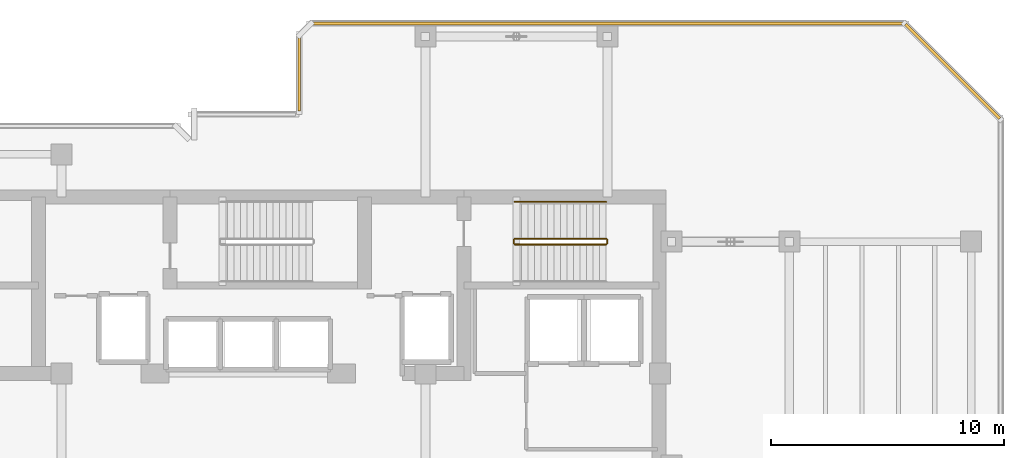
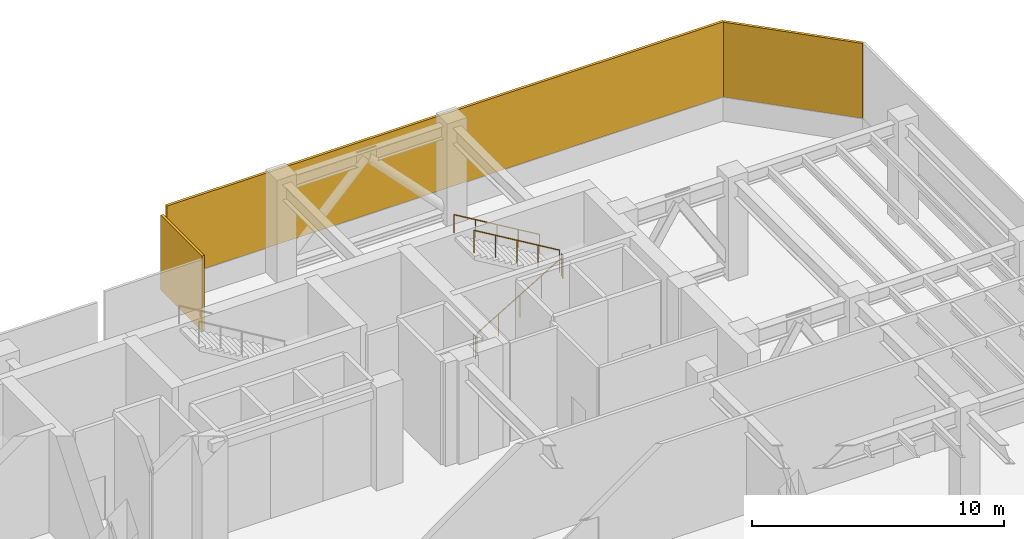
# One storey, part 8 of 9: 5 railings, 3 shading devices.
"""IFC4 building model written with IfcOpenShell, lengths in metres."""

from ifc_helpers import new_model, si_unit, direction, frame, origin, origin_2d, place, context, subcontext, project, spatial, rectangle, circle, extrude, material, layer, layer_set, type_object, element, save


model = new_model("IFC4")

# Units and contexts
model_context = context("Model", 3, precision=1e-05, world=origin(), true_north=direction((0.0, 1.0)))
body_context = subcontext(model_context, "Body", "Model", "MODEL_VIEW")
ifc_project = project(units=[si_unit("LENGTHUNIT", "METRE"), si_unit("AREAUNIT", "SQUARE_METRE"), si_unit("VOLUMEUNIT", "CUBIC_METRE"), si_unit("PLANEANGLEUNIT", "RADIAN"), si_unit("MASSUNIT", "GRAM", prefix="KILO")], contexts=[model_context])

# Site, building, storey
site_placement = place(None, origin())
site = spatial("IfcSite", under=ifc_project, at=site_placement, CompositionType="ELEMENT")
building_placement = place(site_placement, origin())
building = spatial("IfcBuilding", under=site, at=building_placement, Name="Kestravale Grand Hotel", CompositionType="ELEMENT")
storey_placement = place(building_placement, frame((0.0, 0.0, 240.39990234375)))
storey = spatial("IfcBuildingStorey", under=building, at=storey_placement, Name="L60", CompositionType="ELEMENT", Elevation=240.39990234375)

# Railings
ifc_material_1 = material(Name="Painted tubular steel stair well guard", Category="steel")
railing_type_1 = type_object("IfcRailingType", Name="RL-ST-GRD1100", PredefinedType="GUARDRAIL", material=ifc_material_1)
railing_1_placement = place(storey_placement, frame((50.6298828125, 38.280029296875, 0.166748046875)))
element("IfcRailing", 1, at=railing_1_placement, inside=storey, type_object=railing_type_1, Name="L60 ST-3 stair guard 1", PredefinedType="GUARDRAIL", context=body_context, shape_type="SweptSolid", body=[
    extrude(circle(Radius=0.02392578125, at=origin_2d()), frame((0.0, 0.0, 1.076171875), z_axis=(0.859310244771, 0.0, 0.511454693235), x_axis=(0.0, 1.0, 0.0)), (0.0, 0.0, 1.0), 4.56201171875),
    extrude(circle(Radius=0.02099609375, at=origin_2d()), origin(), (0.0, 0.0, 1.0), 1.052001953125),
    extrude(circle(Radius=0.02099609375, at=origin_2d()), frame((0.97998046875, 0.0, 0.583251953125)), (0.0, 0.0, 1.0), 1.052001953125),
    extrude(circle(Radius=0.02099609375, at=origin_2d()), frame((1.9599609375, 0.0, 1.16650390625)), (0.0, 0.0, 1.0), 1.052001953125),
    extrude(circle(Radius=0.02099609375, at=origin_2d()), frame((2.940185546875, 0.0, 1.75)), (0.0, 0.0, 1.0), 1.052001953125),
    extrude(circle(Radius=0.02099609375, at=origin_2d()), frame((3.920166015625, 0.0, 2.333251953125)), (0.0, 0.0, 1.0), 1.052001953125),
])
railing_2_placement = place(storey_placement, frame((54.60009765625, 38.330078125, 2.5)))
element("IfcRailing", 2, at=railing_2_placement, inside=storey, type_object=railing_type_1, Name="L60 ST-3 stair guard 2", PredefinedType="GUARDRAIL", context=body_context, shape_type="SweptSolid", body=[
    extrude(circle(Radius=0.02392578125, at=origin_2d()), frame((0.0, 0.0, 1.076171875), z_axis=(0.0, 1.0, 0.0), x_axis=(-1.0, 0.0, 0.0)), (0.0, 0.0, 1.0), 0.14990234375),
    extrude(circle(Radius=0.02099609375, at=origin_2d()), origin(), (0.0, 0.0, 1.0), 1.052001953125),
    extrude(circle(Radius=0.02099609375, at=origin_2d()), frame((0.0, 0.14990234375, 0.0)), (0.0, 0.0, 1.0), 1.052001953125),
])
railing_3_placement = place(storey_placement, frame((54.550048828125, 38.530029296875, 2.666748046875)))
element("IfcRailing", 3, at=railing_3_placement, inside=storey, type_object=railing_type_1, Name="L60 ST-3 stair guard 3", PredefinedType="GUARDRAIL", context=body_context, shape_type="SweptSolid", body=[
    extrude(circle(Radius=0.02392578125, at=origin_2d()), frame((0.0, 0.0, 1.076171875), z_axis=(-0.859310244771, 0.0, 0.511454693235), x_axis=(0.0, -1.0, 0.0)), (0.0, 0.0, 1.0), 4.56201171875),
    extrude(circle(Radius=0.02099609375, at=origin_2d()), origin(), (0.0, 0.0, 1.0), 1.052001953125),
    extrude(circle(Radius=0.02099609375, at=origin_2d()), frame((-0.97998046875, 0.0, 0.583251953125)), (0.0, 0.0, 1.0), 1.052001953125),
    extrude(circle(Radius=0.02099609375, at=origin_2d()), frame((-1.9599609375, 0.0, 1.16650390625)), (0.0, 0.0, 1.0), 1.052001953125),
    extrude(circle(Radius=0.02099609375, at=origin_2d()), frame((-2.940185546875, 0.0, 1.75)), (0.0, 0.0, 1.0), 1.052001953125),
    extrude(circle(Radius=0.02099609375, at=origin_2d()), frame((-3.920166015625, 0.0, 2.333251953125)), (0.0, 0.0, 1.0), 1.052001953125),
])
railing_4_placement = place(storey_placement, frame((50.580078125, 38.330078125, 0.0)))
element("IfcRailing", 4, at=railing_4_placement, inside=storey, type_object=railing_type_1, Name="L60 ST-3 stair guard 4", PredefinedType="GUARDRAIL", context=body_context, shape_type="SweptSolid", body=[
    extrude(circle(Radius=0.02392578125, at=origin_2d()), frame((0.0, 0.0, 1.076171875), z_axis=(0.0, 1.0, 0.0), x_axis=(-1.0, 0.0, 0.0)), (0.0, 0.0, 1.0), 0.14990234375),
    extrude(circle(Radius=0.02099609375, at=origin_2d()), origin(), (0.0, 0.0, 1.0), 1.052001953125),
    extrude(circle(Radius=0.02099609375, at=origin_2d()), frame((0.0, 0.14990234375, 0.0)), (0.0, 0.0, 1.0), 1.052001953125),
])
ifc_material_2 = material(Name="Brushed stainless steel wall handrail", Category="steel")
railing_type_2 = type_object("IfcRailingType", Name="RL-ST-HND900", PredefinedType="HANDRAIL", material=ifc_material_2)
railing_5_placement = place(storey_placement, frame((54.550048828125, 40.110107421875, 2.666748046875)))
element("IfcRailing", 5, at=railing_5_placement, inside=storey, type_object=railing_type_2, Name="L60 ST-3 stair handrail 2", PredefinedType="HANDRAIL", context=body_context, shape_type="SweptSolid", body=[
    extrude(circle(Radius=0.02392578125, at=origin_2d()), frame((0.0, 0.0, 0.8759765625), z_axis=(-0.859310244771, 0.0, 0.511454693235), x_axis=(0.0, -1.0, 0.0)), (0.0, 0.0, 1.0), 4.56201171875),
    extrude(circle(Radius=0.02099609375, at=origin_2d()), origin(), (0.0, 0.0, 1.0), 0.851806640625),
    extrude(circle(Radius=0.02099609375, at=origin_2d()), frame((-0.97998046875, 0.0, 0.583251953125)), (0.0, 0.0, 1.0), 0.851806640625),
    extrude(circle(Radius=0.02099609375, at=origin_2d()), frame((-1.9599609375, 0.0, 1.16650390625)), (0.0, 0.0, 1.0), 0.851806640625),
    extrude(circle(Radius=0.02099609375, at=origin_2d()), frame((-2.940185546875, 0.0, 1.75)), (0.0, 0.0, 1.0), 0.851806640625),
    extrude(circle(Radius=0.02099609375, at=origin_2d()), frame((-3.920166015625, 0.0, 2.333251953125)), (0.0, 0.0, 1.0), 0.851806640625),
])

# Shading devices
ifc_material_3 = material(Name="Anodised bronze storm-proof acoustic ventilation louvre", Category="aluminium")
ifc_layer = layer(ifc_material_3, 0.1201171875)
ifc_layer_set = layer_set([ifc_layer], Name="SHD-LVR-REF")
shading_device_type = type_object("IfcShadingDeviceType", Name="SHD-LVR-REF", PredefinedType="JALOUSIE", material=ifc_layer_set)
shading_device_1_placement = place(storey_placement, frame((69.40087890625, 45.700927734375, 1.130126953125), z_axis=(0.0, 0.0, 1.0), x_axis=(-0.707106781187, 0.707106781187, 0.0)))
element("IfcShadingDevice", 6, at=shading_device_1_placement, inside=storey, type_object=shading_device_type, Name="L60 mechanical refuge chevron louvre 10", PredefinedType="JALOUSIE", context=body_context, shape_type="SweptSolid", body=[
    extrude(rectangle(XDim=5.7197265625, YDim=0.1201171875, at=origin_2d()), origin(), (0.0, 0.0, 1.0), 3.6298828125),
])
shading_device_2_placement = place(storey_placement, frame((54.625, 47.760009765625, 1.130126953125), z_axis=(0.0, 0.0, 1.0), x_axis=(-1.0, 0.0, 0.0)))
element("IfcShadingDevice", 7, at=shading_device_2_placement, inside=storey, type_object=shading_device_type, Name="L60 mechanical refuge chevron louvre 11", PredefinedType="JALOUSIE", context=body_context, shape_type="SweptSolid", body=[
    extrude(rectangle(XDim=25.530029296875, YDim=0.1201171875, at=origin_2d()), origin(), (0.0, 0.0, 1.0), 3.6298828125),
])
shading_device_3_placement = place(storey_placement, frame((41.389892578125, 45.64990234375, 1.130126953125), z_axis=(0.0, 0.0, 1.0), x_axis=(0.0, -1.0, 0.0)))
element("IfcShadingDevice", 8, at=shading_device_3_placement, inside=storey, type_object=shading_device_type, Name="L60 mechanical refuge chevron louvre 13", PredefinedType="JALOUSIE", context=body_context, shape_type="SweptSolid", body=[
    extrude(rectangle(XDim=3.280029296875, YDim=0.1201171875, at=origin_2d()), origin(), (0.0, 0.0, 1.0), 3.6298828125),
])

save(model, "model.ifc")
